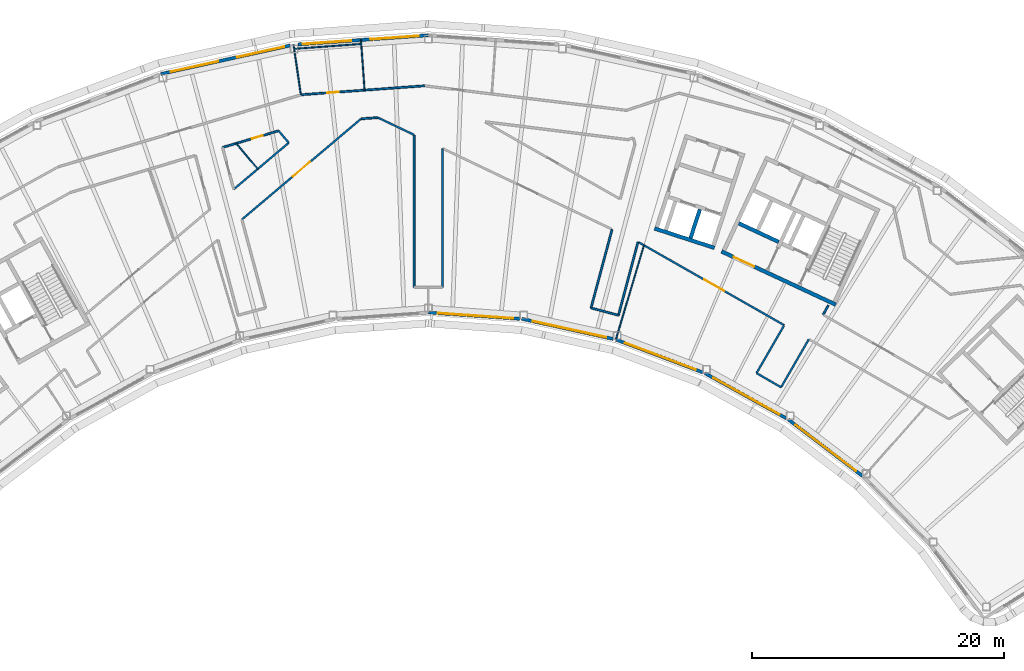
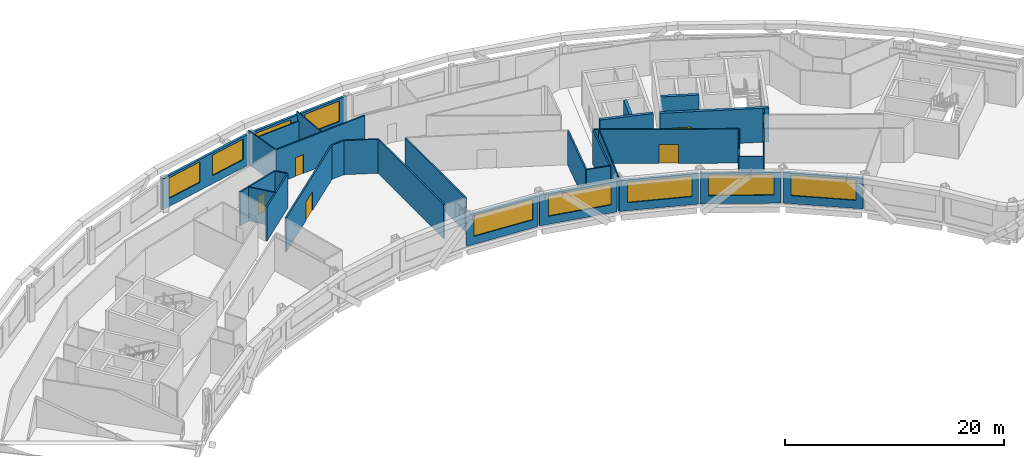
# One storey, part 7 of 17: 33 walls, 9 windows, 5 doors, 14 openings.
"""IFC4 building model written with IfcOpenShell, lengths in metres."""

from ifc_helpers import new_model, si_unit, direction, frame, frame_2d, origin, place, context, subcontext, project, spatial, rectangle, extrude, material, layer, layer_set, type_object, element, fill, save


model = new_model("IFC4")

# Units and contexts
model_context = context("Model", 3, precision=1e-05, world=origin(), true_north=direction((0.0, 1.0)))
body_context = subcontext(model_context, "Body", "Model", "MODEL_VIEW")
ifc_project = project(units=[si_unit("LENGTHUNIT", "METRE"), si_unit("AREAUNIT", "SQUARE_METRE"), si_unit("VOLUMEUNIT", "CUBIC_METRE"), si_unit("PLANEANGLEUNIT", "RADIAN"), si_unit("MASSUNIT", "GRAM", prefix="KILO")], contexts=[model_context])

# Site, building, storey
site_placement = place(None, origin())
site = spatial("IfcSite", under=ifc_project, at=site_placement, CompositionType="ELEMENT")
building_placement = place(site_placement, origin())
building = spatial("IfcBuilding", under=site, at=building_placement, Name="Tuul Gate Civic Tower", CompositionType="ELEMENT")
storey_placement = place(building_placement, frame((0.0, 0.0, 344.89990234375)))
storey = spatial("IfcBuildingStorey", under=building, at=storey_placement, Name="Level 78", CompositionType="ELEMENT", Elevation=344.89990234375)

# Wall, opening, door
ifc_material_1 = material(Name="Concrete C50/60", Category="concrete")
ifc_layer_1 = layer(ifc_material_1, 0.300048828125)
ifc_layer_set_1 = layer_set([ifc_layer_1], Name="Concrete C50/60")
wall_type_1 = type_object("IfcWallType", Name="Core wall C50/60", PredefinedType="SHEAR", material=ifc_layer_set_1)
wall_1_placement = place(storey_placement, frame((34.5283203125, -7.25, 0.0), z_axis=(0.0, 0.0, 1.0), x_axis=(-0.906310338845, 0.422612789327, 0.0)))
wall_1 = element("IfcWall", 1, at=wall_1_placement, inside=storey, type_object=wall_type_1, Name="Core wall", PredefinedType="SHEAR", context=body_context, shape_type="SweptSolid", body=[
    extrude(rectangle(XDim=9.999755859375, YDim=0.300048828125, at=frame_2d((5.0, 0.0))), origin(), (0.0, 0.0, 1.0), 3.800048828125),
])
opening_1_placement = place(wall_1_placement, frame((7.125, 0.0, 0.0)))
opening_1 = element("IfcOpeningElement", 2, at=opening_1_placement, cuts=wall_1, Name="Opening LB-E3-LOBBY-1", PredefinedType="OPENING", context=body_context, shape_type="SweptSolid", body=[
    extrude(rectangle(XDim=1.800048828125, YDim=2.10009765625, at=frame_2d((0.89990234375, 1.050048828125))), frame((0.0, 0.16015625, 0.0), z_axis=(0.0, -1.0, 0.0), x_axis=(1.0, 0.0, 0.0)), (0.0, 0.0, 1.0), 0.320068359375),
])
ifc_material_2 = material(Name="Steel", Category="steel")
door_type_1 = type_object("IfcDoorType", Name="Lobby door", OperationType="DOUBLE_DOOR_SINGLE_SWING", PredefinedType="DOOR", material=ifc_material_2)
door_1_placement = place(opening_1_placement, frame((1.800048828125, 0.0, 0.0), z_axis=(0.0, 0.0, 1.0), x_axis=(-1.0, 0.0, 0.0)))
door_1 = element("IfcDoor", 3, at=door_1_placement, inside=storey, type_object=door_type_1, Name="Lobby door E3-LOBBY", OperationType="DOUBLE_DOOR_SINGLE_SWING", OverallHeight=2.10009765625, OverallWidth=1.800048828125, PredefinedType="DOOR", context=body_context, shape_type="SweptSolid", body=[
    extrude(rectangle(XDim=1.800048828125, YDim=2.10009765625, at=frame_2d((0.900146484375, 1.050048828125))), frame((0.0, 0.02490234375, 0.0), z_axis=(0.0, -1.0, 0.0), x_axis=(1.0, 0.0, 0.0)), (0.0, 0.0, 1.0), 0.050048828125),
])
fill(opening_1, door_1)

# Wall
wall_2_placement = place(storey_placement, frame((30.0078125, -2.2734375, 0.0), z_axis=(0.0, 0.0, 1.0), x_axis=(-0.90630071767, 0.422633421716, 0.0)))
element("IfcWall", 4, at=wall_2_placement, inside=storey, type_object=wall_type_1, Name="Core wall", PredefinedType="SHEAR", context=body_context, shape_type="SweptSolid", body=[
    extrude(rectangle(XDim=3.5, YDim=0.300048828125, at=frame_2d((1.75, 0.0))), origin(), (0.0, 0.0, 1.0), 3.800048828125),
])

# Wall, opening, door
ifc_material_3 = material(Name="Gypsum board partition")
ifc_layer_2 = layer(ifc_material_3, 0.14990234375)
ifc_layer_set_2 = layer_set([ifc_layer_2], Name="Gypsum board partition")
wall_type_2 = type_object("IfcWallType", Name="Corridor wall P150", PredefinedType="PARTITIONING", material=ifc_layer_set_2)
wall_3_placement = place(storey_placement, frame((-7.875244140625, 9.413818359375, 0.0), z_axis=(0.0, 0.0, 1.0), x_axis=(0.99738628097, 0.07225376484, 0.0)))
wall_3 = element("IfcWall", 5, at=wall_3_placement, inside=storey, type_object=wall_type_2, Name="p016", PredefinedType="PARTITIONING", context=body_context, shape_type="SweptSolid", body=[
    extrude(rectangle(XDim=9.788818359375, YDim=0.14990234375, at=frame_2d((4.89453125, 0.0))), origin(), (0.0, 0.0, 1.0), 3.800048828125),
])
opening_2_placement = place(wall_3_placement, frame((2.060546875, 0.0, 0.0)))
opening_2 = element("IfcOpeningElement", 6, at=opening_2_placement, cuts=wall_3, Name="Opening AC-D03", PredefinedType="OPENING", context=body_context, shape_type="SweptSolid", body=[
    extrude(rectangle(XDim=0.89990234375, YDim=2.10009765625, at=frame_2d((0.449951171875, 1.050048828125))), frame((0.0, 0.0849609375, 0.0), z_axis=(0.0, -1.0, 0.0), x_axis=(1.0, 0.0, 0.0)), (0.0, 0.0, 1.0), 0.169921875),
])
ifc_material_4 = material(Name="Timber door leaf", Category="wood")
door_type_2 = type_object("IfcDoorType", Name="Door D09", OperationType="NOTDEFINED", PredefinedType="DOOR", material=ifc_material_4)
door_2_placement = place(opening_2_placement, origin())
door_2 = element("IfcDoor", 7, at=door_2_placement, inside=storey, type_object=door_type_2, Name="Door AC-D03", OperationType="SINGLE_SWING_RIGHT", OverallHeight=2.10009765625, OverallWidth=0.89990234375, PredefinedType="DOOR", context=body_context, shape_type="SweptSolid", body=[
    extrude(rectangle(XDim=0.89990234375, YDim=2.10009765625, at=frame_2d((0.449951171875, 1.050048828125))), frame((0.0, 0.02490234375, 0.0), z_axis=(0.0, -1.0, 0.0), x_axis=(1.0, 0.0, 0.0)), (0.0, 0.0, 1.0), 0.050048828125),
])
fill(opening_2, door_2)

wall_4_placement = place(storey_placement, frame((18.865966796875, -2.285888671875, 0.0), z_axis=(0.0, 0.0, 1.0), x_axis=(0.868901423434, -0.494985167813, 0.0)))
wall_4 = element("IfcWall", 8, at=wall_4_placement, inside=storey, type_object=wall_type_2, Name="p026", PredefinedType="PARTITIONING", context=body_context, shape_type="SweptSolid", body=[
    extrude(rectangle(XDim=13.313232421875, YDim=0.14990234375, at=frame_2d((6.65673828125, 0.0))), origin(), (0.0, 0.0, 1.0), 3.800048828125),
])
opening_3_placement = place(wall_4_placement, frame((6.012939453125, 0.0, 0.0)))
opening_3 = element("IfcOpeningElement", 9, at=opening_3_placement, cuts=wall_4, Name="Opening AC-D06", PredefinedType="OPENING", context=body_context, shape_type="SweptSolid", body=[
    extrude(rectangle(XDim=1.800048828125, YDim=2.10009765625, at=frame_2d((0.89990234375, 1.050048828125))), frame((0.0, 0.0849609375, 0.0), z_axis=(0.0, -1.0, 0.0), x_axis=(1.0, 0.0, 0.0)), (0.0, 0.0, 1.0), 0.169921875),
])
ifc_material_5 = material(Name="Timber door leaf, double", Category="wood")
door_type_3 = type_object("IfcDoorType", Name="Door D18", OperationType="DOUBLE_DOOR_SINGLE_SWING", PredefinedType="DOOR", material=ifc_material_5)
door_3_placement = place(opening_3_placement, frame((1.800048828125, 0.0, 0.0), z_axis=(0.0, 0.0, 1.0), x_axis=(-1.0, 0.0, 0.0)))
door_3 = element("IfcDoor", 10, at=door_3_placement, inside=storey, type_object=door_type_3, Name="Door AC-D06", OperationType="DOUBLE_DOOR_SINGLE_SWING", OverallHeight=2.10009765625, OverallWidth=1.800048828125, PredefinedType="DOOR", context=body_context, shape_type="SweptSolid", body=[
    extrude(rectangle(XDim=1.800048828125, YDim=2.10009765625, at=frame_2d((0.900146484375, 1.050048828125))), frame((0.0, 0.02490234375, 0.0), z_axis=(0.0, -1.0, 0.0), x_axis=(1.0, 0.0, 0.0)), (0.0, 0.0, 1.0), 0.050048828125),
])
fill(opening_3, door_3)

# Walls
wall_5_placement = place(storey_placement, frame((28.24951171875, -12.687744140625, 0.0), z_axis=(0.0, 0.0, 1.0), x_axis=(0.499999494409, 0.866025695687, 0.0)))
element("IfcWall", 11, at=wall_5_placement, inside=storey, type_object=wall_type_2, Name="p032", PredefinedType="PARTITIONING", context=body_context, shape_type="SweptSolid", body=[
    extrude(rectangle(XDim=4.37353515625, YDim=0.14990234375, at=frame_2d((2.186767578125, 0.0))), origin(), (0.0, 0.0, 1.0), 3.800048828125),
])
wall_6_placement = place(storey_placement, frame((28.24951171875, -12.687744140625, 0.0), z_axis=(0.0, 0.0, 1.0), x_axis=(0.866017533419, -0.500013631625, 0.0)))
element("IfcWall", 12, at=wall_6_placement, inside=storey, type_object=wall_type_2, Name="p033", PredefinedType="PARTITIONING", context=body_context, shape_type="SweptSolid", body=[
    extrude(rectangle(XDim=2.25, YDim=0.14990234375, at=frame_2d((1.125, 0.0))), origin(), (0.0, 0.0, 1.0), 3.800048828125),
])
wall_7_placement = place(storey_placement, frame((30.197998046875, -13.812744140625, 0.0), z_axis=(0.0, 0.0, 1.0), x_axis=(0.50001794124, 0.866015045157, 0.0)))
element("IfcWall", 13, at=wall_7_placement, inside=storey, type_object=wall_type_2, Name="p034", PredefinedType="PARTITIONING", context=body_context, shape_type="SweptSolid", body=[
    extrude(rectangle(XDim=4.386474609375, YDim=0.14990234375, at=frame_2d((2.193359375, 0.0))), origin(), (0.0, 0.0, 1.0), 3.800048828125),
])
wall_8_placement = place(storey_placement, frame((33.536376953125, -8.030517578125, 0.0), z_axis=(0.0, 0.0, 1.0), x_axis=(0.500189359247, 0.865916049566, 0.0)))
element("IfcWall", 14, at=wall_8_placement, inside=storey, type_object=wall_type_2, Name="p035", PredefinedType="PARTITIONING", context=body_context, shape_type="SweptSolid", body=[
    extrude(rectangle(XDim=0.829833984375, YDim=0.14990234375, at=frame_2d((0.4150390625, 0.0))), origin(), (0.0, 0.0, 1.0), 3.800048828125),
])
wall_9_placement = place(storey_placement, frame((3.31689453125, -5.873779296875, 0.0), z_axis=(0.0, 0.0, 1.0), x_axis=(0.0, 1.0, 0.0)))
element("IfcWall", 15, at=wall_9_placement, inside=storey, type_object=wall_type_2, Name="p037", PredefinedType="PARTITIONING", context=body_context, shape_type="SweptSolid", body=[
    extrude(rectangle(XDim=10.9931640625, YDim=0.14990234375, at=frame_2d((5.49658203125, 0.0))), origin(), (0.0, 0.0, 1.0), 3.800048828125),
])
wall_10_placement = place(storey_placement, frame((-1.807861328125, 7.595947265625, 0.0), z_axis=(0.0, 0.0, 1.0), x_axis=(0.90255363089, -0.430577453389, 0.0)))
element("IfcWall", 16, at=wall_10_placement, inside=storey, type_object=wall_type_2, Name="p038", PredefinedType="PARTITIONING", context=body_context, shape_type="SweptSolid", body=[
    extrude(rectangle(XDim=3.1787109375, YDim=0.14990234375, at=frame_2d((1.58935546875, 0.0))), origin(), (0.0, 0.0, 1.0), 3.800048828125),
])
wall_11_placement = place(storey_placement, frame((15.110107421875, -7.513427734375, 0.0), z_axis=(0.0, 0.0, 1.0), x_axis=(0.258813089189, 0.965927422152, 0.0)))
element("IfcWall", 17, at=wall_11_placement, inside=storey, type_object=wall_type_2, Name="p040", PredefinedType="PARTITIONING", context=body_context, shape_type="SweptSolid", body=[
    extrude(rectangle(XDim=6.444580078125, YDim=0.14990234375, at=frame_2d((3.22216796875, 0.0))), origin(), (0.0, 0.0, 1.0), 3.800048828125),
])
wall_12_placement = place(storey_placement, frame((15.110107421875, -7.513427734375, 0.0), z_axis=(0.0, 0.0, 1.0), x_axis=(0.965926253902, -0.258817449225, 0.0)))
element("IfcWall", 18, at=wall_12_placement, inside=storey, type_object=wall_type_2, Name="p042", PredefinedType="PARTITIONING", context=body_context, shape_type="SweptSolid", body=[
    extrude(rectangle(XDim=2.249755859375, YDim=0.14990234375, at=frame_2d((1.125, 0.0))), origin(), (0.0, 0.0, 1.0), 3.800048828125),
])
wall_13_placement = place(storey_placement, frame((17.283203125, -8.095703125, 0.0), z_axis=(0.0, 0.0, 1.0), x_axis=(0.258894566338, 0.965905587271, 0.0)))
element("IfcWall", 19, at=wall_13_placement, inside=storey, type_object=wall_type_2, Name="p043", PredefinedType="PARTITIONING", context=body_context, shape_type="SweptSolid", body=[
    extrude(rectangle(XDim=6.006103515625, YDim=0.14990234375, at=frame_2d((3.0029296875, 0.0))), origin(), (0.0, 0.0, 1.0), 3.800048828125),
])

# Wall, opening, door
wall_14_placement = place(storey_placement, frame((-12.59912109375, -0.48486328125, 0.0), z_axis=(0.0, 0.0, 1.0), x_axis=(0.763915983637, 0.645315713387, 0.0)))
wall_14 = element("IfcWall", 20, at=wall_14_placement, inside=storey, type_object=wall_type_2, Name="p051", PredefinedType="PARTITIONING", context=body_context, shape_type="SweptSolid", body=[
    extrude(rectangle(XDim=12.37158203125, YDim=0.14990234375, at=frame_2d((6.185791015625, 0.0))), origin(), (0.0, 0.0, 1.0), 3.800048828125),
])
opening_4_placement = place(wall_14_placement, frame((5.285888671875, 0.0, 0.0)))
opening_4 = element("IfcOpeningElement", 21, at=opening_4_placement, cuts=wall_14, Name="Opening AC-D08", PredefinedType="OPENING", context=body_context, shape_type="SweptSolid", body=[
    extrude(rectangle(XDim=1.800048828125, YDim=2.10009765625, at=frame_2d((0.89990234375, 1.050048828125))), frame((0.0, 0.0849609375, 0.0), z_axis=(0.0, -1.0, 0.0), x_axis=(1.0, 0.0, 0.0)), (0.0, 0.0, 1.0), 0.169921875),
])
door_4_placement = place(opening_4_placement, frame((1.800048828125, 0.0, 0.0), z_axis=(0.0, 0.0, 1.0), x_axis=(-1.0, 0.0, 0.0)))
door_4 = element("IfcDoor", 22, at=door_4_placement, inside=storey, type_object=door_type_3, Name="Door AC-D08", OperationType="DOUBLE_DOOR_SINGLE_SWING", OverallHeight=2.10009765625, OverallWidth=1.800048828125, PredefinedType="DOOR", context=body_context, shape_type="SweptSolid", body=[
    extrude(rectangle(XDim=1.800048828125, YDim=2.10009765625, at=frame_2d((0.900146484375, 1.050048828125))), frame((0.0, 0.02490234375, 0.0), z_axis=(0.0, -1.0, 0.0), x_axis=(1.0, 0.0, 0.0)), (0.0, 0.0, 1.0), 0.050048828125),
])
fill(opening_4, door_4)

# Walls
wall_15_placement = place(storey_placement, frame((-3.14013671875, 7.5009765625, 0.0), z_axis=(0.0, 0.0, 1.0), x_axis=(0.997384411687, 0.072279563672, 0.0)))
element("IfcWall", 23, at=wall_15_placement, inside=storey, type_object=wall_type_2, Name="p052", PredefinedType="PARTITIONING", context=body_context, shape_type="SweptSolid", body=[
    extrude(rectangle(XDim=1.327392578125, YDim=0.14990234375, at=frame_2d((0.66357421875, 0.0))), origin(), (0.0, 0.0, 1.0), 3.800048828125),
])
wall_16_placement = place(storey_placement, frame((1.06689453125, -5.873779296875, 0.0), z_axis=(0.0, 0.0, 1.0), x_axis=(0.0, 1.0, 0.0)))
element("IfcWall", 24, at=wall_16_placement, inside=storey, type_object=wall_type_2, Name="p053", PredefinedType="PARTITIONING", context=body_context, shape_type="SweptSolid", body=[
    extrude(rectangle(XDim=12.085693359375, YDim=0.14990234375, at=frame_2d((6.04296875, 0.0))), origin(), (0.0, 0.0, 1.0), 3.800048828125),
])

# Wall, opening, door
wall_17_placement = place(storey_placement, frame((-14.14013671875, 5.228515625, 0.0), z_axis=(0.0, 0.0, 1.0), x_axis=(0.958755114253, 0.28423340918, 0.0)))
wall_17 = element("IfcWall", 25, at=wall_17_placement, inside=storey, type_object=wall_type_2, Name="p070", PredefinedType="PARTITIONING", context=body_context, shape_type="SweptSolid", body=[
    extrude(rectangle(XDim=4.640869140625, YDim=0.14990234375, at=frame_2d((2.3203125, 0.0))), origin(), (0.0, 0.0, 1.0), 3.800048828125),
])
opening_5_placement = place(wall_17_placement, frame((2.43310546875, 0.0, 0.0)))
opening_5 = element("IfcOpeningElement", 26, at=opening_5_placement, cuts=wall_17, Name="Opening AC-D11", PredefinedType="OPENING", context=body_context, shape_type="SweptSolid", body=[
    extrude(rectangle(XDim=0.89990234375, YDim=2.10009765625, at=frame_2d((0.449951171875, 1.050048828125))), frame((0.0, 0.0849609375, 0.0), z_axis=(0.0, -1.0, 0.0), x_axis=(1.0, 0.0, 0.0)), (0.0, 0.0, 1.0), 0.169921875),
])
door_5_placement = place(opening_5_placement, frame((0.89990234375, 0.0, 0.0), z_axis=(0.0, 0.0, 1.0), x_axis=(-1.0, 0.0, 0.0)))
door_5 = element("IfcDoor", 27, at=door_5_placement, inside=storey, type_object=door_type_2, Name="Door AC-D11", OperationType="SINGLE_SWING_RIGHT", OverallHeight=2.10009765625, OverallWidth=0.89990234375, PredefinedType="DOOR", context=body_context, shape_type="SweptSolid", body=[
    extrude(rectangle(XDim=0.89990234375, YDim=2.10009765625, at=frame_2d((0.449951171875, 1.050048828125))), frame((0.0, 0.02490234375, 0.0), z_axis=(0.0, -1.0, 0.0), x_axis=(1.0, 0.0, 0.0)), (0.0, 0.0, 1.0), 0.050048828125),
])
fill(opening_5, door_5)

# Walls
wall_18_placement = place(storey_placement, frame((-9.690673828125, 6.547607421875, 0.0), z_axis=(0.0, 0.0, 1.0), x_axis=(0.645300357317, -0.763928955366, 0.0)))
element("IfcWall", 28, at=wall_18_placement, inside=storey, type_object=wall_type_2, Name="p071", PredefinedType="PARTITIONING", context=body_context, shape_type="SweptSolid", body=[
    extrude(rectangle(XDim=1.2451171875, YDim=0.14990234375, at=frame_2d((0.62255859375, 0.0))), origin(), (0.0, 0.0, 1.0), 3.800048828125),
])
wall_19_placement = place(storey_placement, frame((-13.2509765625, 1.909912109375, 0.0), z_axis=(0.0, 0.0, 1.0), x_axis=(0.763895070032, 0.645340469815, 0.0)))
element("IfcWall", 29, at=wall_19_placement, inside=storey, type_object=wall_type_2, Name="p073", PredefinedType="PARTITIONING", context=body_context, shape_type="SweptSolid", body=[
    extrude(rectangle(XDim=5.712646484375, YDim=0.14990234375, at=frame_2d((2.8564453125, 0.0))), origin(), (0.0, 0.0, 1.0), 3.800048828125),
])

# Wall, openings, windows
ifc_material_6 = material(Name="Precast concrete C40/50", Category="concrete")
ifc_layer_3 = layer(ifc_material_6, 0.25)
ifc_layer_set_3 = layer_set([ifc_layer_3], Name="Precast concrete C40/50")
wall_type_3 = type_object("IfcWallType", Name="External wall", PredefinedType="STANDARD", material=ifc_layer_set_3)
wall_20_placement = place(storey_placement, frame((2.19189453125, 14.13134765625, 0.0), z_axis=(0.0, 0.0, 1.0), x_axis=(-0.997539608271, -0.070105134841, 0.0)))
wall_20 = element("IfcWall", 30, at=wall_20_placement, inside=storey, type_object=wall_type_3, Name="External wall", PredefinedType="STANDARD", context=body_context, shape_type="SweptSolid", body=[
    extrude(rectangle(XDim=10.3779296875, YDim=0.25, at=frame_2d((5.18896484375, 0.0))), origin(), (0.0, 0.0, 1.0), 3.4501953125),
])
opening_6_placement = place(wall_20_placement, frame((0.749755859375, 0.0, 0.89990234375)))
opening_6 = element("IfcOpeningElement", 31, at=opening_6_placement, cuts=wall_20, Name="Opening W22", PredefinedType="OPENING", context=body_context, shape_type="SweptSolid", body=[
    extrude(rectangle(XDim=3.85009765625, YDim=2.300048828125, at=frame_2d((1.925048828125, 1.14990234375))), frame((0.0, 0.135009765625, 0.0), z_axis=(0.0, -1.0, 0.0), x_axis=(1.0, 0.0, 0.0)), (0.0, 0.0, 1.0), 0.27001953125),
])
opening_7_placement = place(wall_20_placement, frame((6.120849609375, 0.0, 0.89990234375)))
opening_7 = element("IfcOpeningElement", 32, at=opening_7_placement, cuts=wall_20, Name="Opening W22", PredefinedType="OPENING", context=body_context, shape_type="SweptSolid", body=[
    extrude(rectangle(XDim=3.85009765625, YDim=2.300048828125, at=frame_2d((1.925048828125, 1.14990234375))), frame((0.0, 0.135009765625, 0.0), z_axis=(0.0, -1.0, 0.0), x_axis=(1.0, 0.0, 0.0)), (0.0, 0.0, 1.0), 0.27001953125),
])
ifc_material_7 = material(Name="Glass", Category="glass")
window_type_1 = type_object("IfcWindowType", Name="Window W22 3850 x 2300", PartitioningType="SINGLE_PANEL", PredefinedType="WINDOW", material=ifc_material_7)
window_1_placement = place(opening_6_placement, origin())
window_1 = element("IfcWindow", 33, at=window_1_placement, inside=storey, type_object=window_type_1, Name="Window", OverallHeight=2.300048828125, OverallWidth=3.85009765625, PartitioningType="SINGLE_PANEL", PredefinedType="WINDOW", context=body_context, shape_type="SweptSolid", body=[
    extrude(rectangle(XDim=3.85009765625, YDim=2.300048828125, at=frame_2d((1.925048828125, 1.14990234375))), frame((0.0, 0.030029296875, 0.0), z_axis=(0.0, -1.0, 0.0), x_axis=(1.0, 0.0, 0.0)), (0.0, 0.0, 1.0), 0.06005859375),
])
fill(opening_6, window_1)
window_2_placement = place(opening_7_placement, origin())
window_2 = element("IfcWindow", 34, at=window_2_placement, inside=storey, type_object=window_type_1, Name="Window", OverallHeight=2.300048828125, OverallWidth=3.85009765625, PartitioningType="SINGLE_PANEL", PredefinedType="WINDOW", context=body_context, shape_type="SweptSolid", body=[
    extrude(rectangle(XDim=3.85009765625, YDim=2.300048828125, at=frame_2d((1.925048828125, 1.14990234375))), frame((0.0, 0.030029296875, 0.0), z_axis=(0.0, -1.0, 0.0), x_axis=(1.0, 0.0, 0.0)), (0.0, 0.0, 1.0), 0.06005859375),
])
fill(opening_7, window_2)

wall_21_placement = place(storey_placement, frame((-8.757080078125, 13.3232421875, 0.0), z_axis=(0.0, 0.0, 1.0), x_axis=(-0.976567595221, -0.21521090113, 0.0)))
wall_21 = element("IfcWall", 35, at=wall_21_placement, inside=storey, type_object=wall_type_3, Name="External wall", PredefinedType="STANDARD", context=body_context, shape_type="SweptSolid", body=[
    extrude(rectangle(XDim=10.525146484375, YDim=0.25, at=frame_2d((5.2626953125, 0.0))), origin(), (0.0, 0.0, 1.0), 3.4501953125),
])
opening_8_placement = place(wall_21_placement, frame((0.492431640625, 0.0, 0.89990234375)))
opening_8 = element("IfcOpeningElement", 36, at=opening_8_placement, cuts=wall_21, Name="Opening W22", PredefinedType="OPENING", context=body_context, shape_type="SweptSolid", body=[
    extrude(rectangle(XDim=3.85009765625, YDim=2.300048828125, at=frame_2d((1.925048828125, 1.14990234375))), frame((0.0, 0.135009765625, 0.0), z_axis=(0.0, -1.0, 0.0), x_axis=(1.0, 0.0, 0.0)), (0.0, 0.0, 1.0), 0.27001953125),
])
opening_9_placement = place(wall_21_placement, frame((5.86376953125, 0.0, 0.89990234375)))
opening_9 = element("IfcOpeningElement", 37, at=opening_9_placement, cuts=wall_21, Name="Opening W22", PredefinedType="OPENING", context=body_context, shape_type="SweptSolid", body=[
    extrude(rectangle(XDim=3.85009765625, YDim=2.300048828125, at=frame_2d((1.925048828125, 1.14990234375))), frame((0.0, 0.135009765625, 0.0), z_axis=(0.0, -1.0, 0.0), x_axis=(1.0, 0.0, 0.0)), (0.0, 0.0, 1.0), 0.27001953125),
])
window_3_placement = place(opening_8_placement, origin())
window_3 = element("IfcWindow", 38, at=window_3_placement, inside=storey, type_object=window_type_1, Name="Window", OverallHeight=2.300048828125, OverallWidth=3.85009765625, PartitioningType="SINGLE_PANEL", PredefinedType="WINDOW", context=body_context, shape_type="SweptSolid", body=[
    extrude(rectangle(XDim=3.85009765625, YDim=2.300048828125, at=frame_2d((1.925048828125, 1.14990234375))), frame((0.0, 0.030029296875, 0.0), z_axis=(0.0, -1.0, 0.0), x_axis=(1.0, 0.0, 0.0)), (0.0, 0.0, 1.0), 0.06005859375),
])
fill(opening_8, window_3)
window_4_placement = place(opening_9_placement, origin())
window_4 = element("IfcWindow", 39, at=window_4_placement, inside=storey, type_object=window_type_1, Name="Window", OverallHeight=2.300048828125, OverallWidth=3.85009765625, PartitioningType="SINGLE_PANEL", PredefinedType="WINDOW", context=body_context, shape_type="SweptSolid", body=[
    extrude(rectangle(XDim=3.85009765625, YDim=2.300048828125, at=frame_2d((1.925048828125, 1.14990234375))), frame((0.0, 0.030029296875, 0.0), z_axis=(0.0, -1.0, 0.0), x_axis=(1.0, 0.0, 0.0)), (0.0, 0.0, 1.0), 0.06005859375),
])
fill(opening_9, window_4)

# Wall, opening, window
wall_22_placement = place(storey_placement, frame((2.19189453125, -7.875244140625, 0.0), z_axis=(0.0, 0.0, 1.0), x_axis=(0.997595038527, -0.069311897299, 0.0)))
wall_22 = element("IfcWall", 40, at=wall_22_placement, inside=storey, type_object=wall_type_3, Name="External wall", PredefinedType="STANDARD", context=body_context, shape_type="SweptSolid", body=[
    extrude(rectangle(XDim=7.28076171875, YDim=0.25, at=frame_2d((3.640380859375, 0.0))), origin(), (0.0, 0.0, 1.0), 3.4501953125),
])
opening_10_placement = place(wall_22_placement, frame((0.770751953125, 0.0, 0.89990234375)))
opening_10 = element("IfcOpeningElement", 41, at=opening_10_placement, cuts=wall_22, Name="Opening W26", PredefinedType="OPENING", context=body_context, shape_type="SweptSolid", body=[
    extrude(rectangle(XDim=6.0, YDim=2.300048828125, at=frame_2d((3.0, 1.14990234375))), frame((0.0, 0.135009765625, 0.0), z_axis=(0.0, -1.0, 0.0), x_axis=(1.0, 0.0, 0.0)), (0.0, 0.0, 1.0), 0.27001953125),
])
ifc_material_8 = material(Name="Glass", Category="glass")
window_type_2 = type_object("IfcWindowType", Name="Window W26 6000 x 2300", PartitioningType="SINGLE_PANEL", PredefinedType="WINDOW", material=ifc_material_8)
window_5_placement = place(opening_10_placement, origin())
window_5 = element("IfcWindow", 42, at=window_5_placement, inside=storey, type_object=window_type_2, Name="Window", OverallHeight=2.300048828125, OverallWidth=6.0, PartitioningType="SINGLE_PANEL", PredefinedType="WINDOW", context=body_context, shape_type="SweptSolid", body=[
    extrude(rectangle(XDim=6.0, YDim=2.300048828125, at=frame_2d((3.0, 1.14990234375))), frame((0.0, 0.030029296875, 0.0), z_axis=(0.0, -1.0, 0.0), x_axis=(1.0, 0.0, 0.0)), (0.0, 0.0, 1.0), 0.06005859375),
])
fill(opening_10, window_5)

wall_23_placement = place(storey_placement, frame((9.617431640625, -8.376953125, 0.0), z_axis=(0.0, 0.0, 1.0), x_axis=(0.976558805875, -0.215250780877, 0.0)))
wall_23 = element("IfcWall", 43, at=wall_23_placement, inside=storey, type_object=wall_type_3, Name="External wall", PredefinedType="STANDARD", context=body_context, shape_type="SweptSolid", body=[
    extrude(rectangle(XDim=7.434814453125, YDim=0.25, at=frame_2d((3.71728515625, 0.0))), origin(), (0.0, 0.0, 1.0), 3.4501953125),
])
opening_11_placement = place(wall_23_placement, frame((0.874267578125, 0.0, 0.89990234375)))
opening_11 = element("IfcOpeningElement", 44, at=opening_11_placement, cuts=wall_23, Name="Opening W26", PredefinedType="OPENING", context=body_context, shape_type="SweptSolid", body=[
    extrude(rectangle(XDim=6.0, YDim=2.300048828125, at=frame_2d((3.0, 1.14990234375))), frame((0.0, 0.135009765625, 0.0), z_axis=(0.0, -1.0, 0.0), x_axis=(1.0, 0.0, 0.0)), (0.0, 0.0, 1.0), 0.27001953125),
])
window_6_placement = place(opening_11_placement, origin())
window_6 = element("IfcWindow", 45, at=window_6_placement, inside=storey, type_object=window_type_2, Name="Window", OverallHeight=2.300048828125, OverallWidth=6.0, PartitioningType="SINGLE_PANEL", PredefinedType="WINDOW", context=body_context, shape_type="SweptSolid", body=[
    extrude(rectangle(XDim=6.0, YDim=2.300048828125, at=frame_2d((3.0, 1.14990234375))), frame((0.0, 0.030029296875, 0.0), z_axis=(0.0, -1.0, 0.0), x_axis=(1.0, 0.0, 0.0)), (0.0, 0.0, 1.0), 0.06005859375),
])
fill(opening_11, window_6)

wall_24_placement = place(storey_placement, frame((17.131591796875, -10.04052734375, 0.0), z_axis=(0.0, 0.0, 1.0), x_axis=(0.935356646056, -0.353706014478, 0.0)))
wall_24 = element("IfcWall", 46, at=wall_24_placement, inside=storey, type_object=wall_type_3, Name="External wall", PredefinedType="STANDARD", context=body_context, shape_type="SweptSolid", body=[
    extrude(rectangle(XDim=7.320556640625, YDim=0.25, at=frame_2d((3.66015625, 0.0))), origin(), (0.0, 0.0, 1.0), 3.4501953125),
])
opening_12_placement = place(wall_24_placement, frame((0.72216796875, 0.0, 0.89990234375)))
opening_12 = element("IfcOpeningElement", 47, at=opening_12_placement, cuts=wall_24, Name="Opening W26", PredefinedType="OPENING", context=body_context, shape_type="SweptSolid", body=[
    extrude(rectangle(XDim=6.0, YDim=2.300048828125, at=frame_2d((3.0, 1.14990234375))), frame((0.0, 0.135009765625, 0.0), z_axis=(0.0, -1.0, 0.0), x_axis=(1.0, 0.0, 0.0)), (0.0, 0.0, 1.0), 0.27001953125),
])
window_7_placement = place(opening_12_placement, origin())
window_7 = element("IfcWindow", 48, at=window_7_placement, inside=storey, type_object=window_type_2, Name="Window", OverallHeight=2.300048828125, OverallWidth=6.0, PartitioningType="SINGLE_PANEL", PredefinedType="WINDOW", context=body_context, shape_type="SweptSolid", body=[
    extrude(rectangle(XDim=6.0, YDim=2.300048828125, at=frame_2d((3.0, 1.14990234375))), frame((0.0, 0.030029296875, 0.0), z_axis=(0.0, -1.0, 0.0), x_axis=(1.0, 0.0, 0.0)), (0.0, 0.0, 1.0), 0.06005859375),
])
fill(opening_12, window_7)

wall_25_placement = place(storey_placement, frame((24.150146484375, -12.696044921875, 0.0), z_axis=(0.0, 0.0, 1.0), x_axis=(0.874619324008, -0.484810311432, 0.0)))
wall_25 = element("IfcWall", 49, at=wall_25_placement, inside=storey, type_object=wall_type_3, Name="External wall", PredefinedType="STANDARD", context=body_context, shape_type="SweptSolid", body=[
    extrude(rectangle(XDim=7.39599609375, YDim=0.25, at=frame_2d((3.697998046875, 0.0))), origin(), (0.0, 0.0, 1.0), 3.4501953125),
])
opening_13_placement = place(wall_25_placement, frame((0.7626953125, 0.0, 0.89990234375)))
opening_13 = element("IfcOpeningElement", 50, at=opening_13_placement, cuts=wall_25, Name="Opening W26", PredefinedType="OPENING", context=body_context, shape_type="SweptSolid", body=[
    extrude(rectangle(XDim=6.0, YDim=2.300048828125, at=frame_2d((3.0, 1.14990234375))), frame((0.0, 0.135009765625, 0.0), z_axis=(0.0, -1.0, 0.0), x_axis=(1.0, 0.0, 0.0)), (0.0, 0.0, 1.0), 0.27001953125),
])
window_8_placement = place(opening_13_placement, origin())
window_8 = element("IfcWindow", 51, at=window_8_placement, inside=storey, type_object=window_type_2, Name="Window", OverallHeight=2.300048828125, OverallWidth=6.0, PartitioningType="SINGLE_PANEL", PredefinedType="WINDOW", context=body_context, shape_type="SweptSolid", body=[
    extrude(rectangle(XDim=6.0, YDim=2.300048828125, at=frame_2d((3.0, 1.14990234375))), frame((0.0, 0.030029296875, 0.0), z_axis=(0.0, -1.0, 0.0), x_axis=(1.0, 0.0, 0.0)), (0.0, 0.0, 1.0), 0.06005859375),
])
fill(opening_13, window_8)

wall_26_placement = place(storey_placement, frame((30.77587890625, -16.3759765625, 0.0), z_axis=(0.0, 0.0, 1.0), x_axis=(0.79556887643, -0.605863155222, 0.0)))
wall_26 = element("IfcWall", 52, at=wall_26_placement, inside=storey, type_object=wall_type_3, Name="External wall", PredefinedType="STANDARD", context=body_context, shape_type="SweptSolid", body=[
    extrude(rectangle(XDim=7.394775390625, YDim=0.25, at=frame_2d((3.697265625, 0.0))), origin(), (0.0, 0.0, 1.0), 3.4501953125),
])
opening_14_placement = place(wall_26_placement, frame((0.727783203125, 0.0, 0.89990234375)))
opening_14 = element("IfcOpeningElement", 53, at=opening_14_placement, cuts=wall_26, Name="Opening W26", PredefinedType="OPENING", context=body_context, shape_type="SweptSolid", body=[
    extrude(rectangle(XDim=6.0, YDim=2.300048828125, at=frame_2d((3.0, 1.14990234375))), frame((0.0, 0.135009765625, 0.0), z_axis=(0.0, -1.0, 0.0), x_axis=(1.0, 0.0, 0.0)), (0.0, 0.0, 1.0), 0.27001953125),
])
window_9_placement = place(opening_14_placement, origin())
window_9 = element("IfcWindow", 54, at=window_9_placement, inside=storey, type_object=window_type_2, Name="Window", OverallHeight=2.300048828125, OverallWidth=6.0, PartitioningType="SINGLE_PANEL", PredefinedType="WINDOW", context=body_context, shape_type="SweptSolid", body=[
    extrude(rectangle(XDim=6.0, YDim=2.300048828125, at=frame_2d((3.0, 1.14990234375))), frame((0.0, 0.030029296875, 0.0), z_axis=(0.0, -1.0, 0.0), x_axis=(1.0, 0.0, 0.0)), (0.0, 0.0, 1.0), 0.06005859375),
])
fill(opening_14, window_9)

# Walls
ifc_material_9 = material(Name="Concrete C40/50", Category="concrete")
ifc_layer_4 = layer(ifc_material_9, 0.300048828125)
ifc_layer_set_4 = layer_set([ifc_layer_4], Name="Concrete C40/50")
wall_type_4 = type_object("IfcWallType", Name="Lift shaft wall C40/50", PredefinedType="STANDARD", material=ifc_layer_set_4)
wall_27_placement = place(storey_placement, frame((24.911376953125, -2.746337890625, 0.0), z_axis=(0.0, 0.0, 1.0), x_axis=(-0.951067792613, 0.308982287281, 0.0)))
element("IfcWall", 55, at=wall_27_placement, inside=storey, type_object=wall_type_4, Name="Shaft wall", PredefinedType="STANDARD", context=body_context, shape_type="SweptSolid", body=[
    extrude(rectangle(XDim=5.0, YDim=0.300048828125, at=frame_2d((2.5, 0.0))), origin(), (0.0, 0.0, 1.0), 3.800048828125),
])
wall_28_placement = place(storey_placement, frame((23.008056640625, -1.97021484375, 0.0), z_axis=(0.0, 0.0, 1.0), x_axis=(0.309138975195, 0.951016873675, 0.0)))
element("IfcWall", 56, at=wall_28_placement, inside=storey, type_object=wall_type_4, Name="Shaft wall", PredefinedType="STANDARD", context=body_context, shape_type="SweptSolid", body=[
    extrude(rectangle(XDim=2.400146484375, YDim=0.300048828125, at=frame_2d((1.2001953125, 0.0))), origin(), (0.0, 0.0, 1.0), 3.800048828125),
])
ifc_material_10 = material(Name="Gypsum board partition")
ifc_layer_5 = layer(ifc_material_10, 0.10009765625)
ifc_layer_set_5 = layer_set([ifc_layer_5], Name="Gypsum board partition")
wall_type_5 = type_object("IfcWallType", Name="Partition P100", PredefinedType="PARTITIONING", material=ifc_layer_set_5)
wall_29_placement = place(storey_placement, frame((-3.156494140625, 13.771240234375, 0.0), z_axis=(0.0, 0.0, 1.0), x_axis=(0.072234713251, -0.997387660943, 0.0)))
element("IfcWall", 57, at=wall_29_placement, inside=storey, type_object=wall_type_5, Name="p015", PredefinedType="PARTITIONING", context=body_context, shape_type="SweptSolid", body=[
    extrude(rectangle(XDim=4.005126953125, YDim=0.10009765625, at=frame_2d((2.00244140625, 0.0))), origin(), (0.0, 0.0, 1.0), 3.800048828125),
])
wall_30_placement = place(storey_placement, frame((-8.505126953125, 13.3837890625, 0.0), z_axis=(0.0, 0.0, 1.0), x_axis=(0.144128774578, -0.989558940306, 0.0)))
element("IfcWall", 58, at=wall_30_placement, inside=storey, type_object=wall_type_5, Name="p017", PredefinedType="PARTITIONING", context=body_context, shape_type="SweptSolid", body=[
    extrude(rectangle(XDim=4.0263671875, YDim=0.10009765625, at=frame_2d((2.01318359375, 0.0))), origin(), (0.0, 0.0, 1.0), 3.800048828125),
])
wall_31_placement = place(storey_placement, frame((17.083251953125, -10.027587890625, 0.0), z_axis=(0.0, 0.0, 1.0), x_axis=(0.285217027283, 0.958462960864, 0.0)))
element("IfcWall", 59, at=wall_31_placement, inside=storey, type_object=wall_type_5, Name="p031", PredefinedType="PARTITIONING", context=body_context, shape_type="SweptSolid", body=[
    extrude(rectangle(XDim=7.8125, YDim=0.10009765625, at=frame_2d((3.90625, 0.0))), origin(), (0.0, 0.0, 1.0), 3.800048828125),
])
wall_32_placement = place(storey_placement, frame((-13.061767578125, 5.54833984375, 0.0), z_axis=(0.0, 0.0, 1.0), x_axis=(0.645311903312, -0.76391920217, 0.0)))
element("IfcWall", 60, at=wall_32_placement, inside=storey, type_object=wall_type_5, Name="p074", PredefinedType="PARTITIONING", context=body_context, shape_type="SweptSolid", body=[
    extrude(rectangle(XDim=2.657470703125, YDim=0.10009765625, at=frame_2d((1.32861328125, 0.0))), origin(), (0.0, 0.0, 1.0), 3.800048828125),
])
ifc_material_11 = material(Name="Gypsum board partition")
ifc_layer_6 = layer(ifc_material_11, 0.10009765625)
ifc_layer_set_6 = layer_set([ifc_layer_6], Name="Gypsum board partition")
wall_type_6 = type_object("IfcWallType", Name="Partition P100 2900 HIGH", PredefinedType="PARTITIONING", material=ifc_layer_set_6)
wall_33_placement = place(storey_placement, frame((-8.45703125, 13.056396484375, 0.0), z_axis=(0.0, 0.0, 1.0), x_axis=(0.997385751492, 0.072261073338, 0.0)))
element("IfcWall", 61, at=wall_33_placement, inside=storey, type_object=wall_type_6, Name="p090", PredefinedType="PARTITIONING", context=body_context, shape_type="SweptSolid", body=[
    extrude(rectangle(XDim=5.338134765625, YDim=0.10009765625, at=frame_2d((2.6689453125, 0.0))), origin(), (0.0, 0.0, 1.0), 2.900146484375),
])

save(model, "model.ifc")
